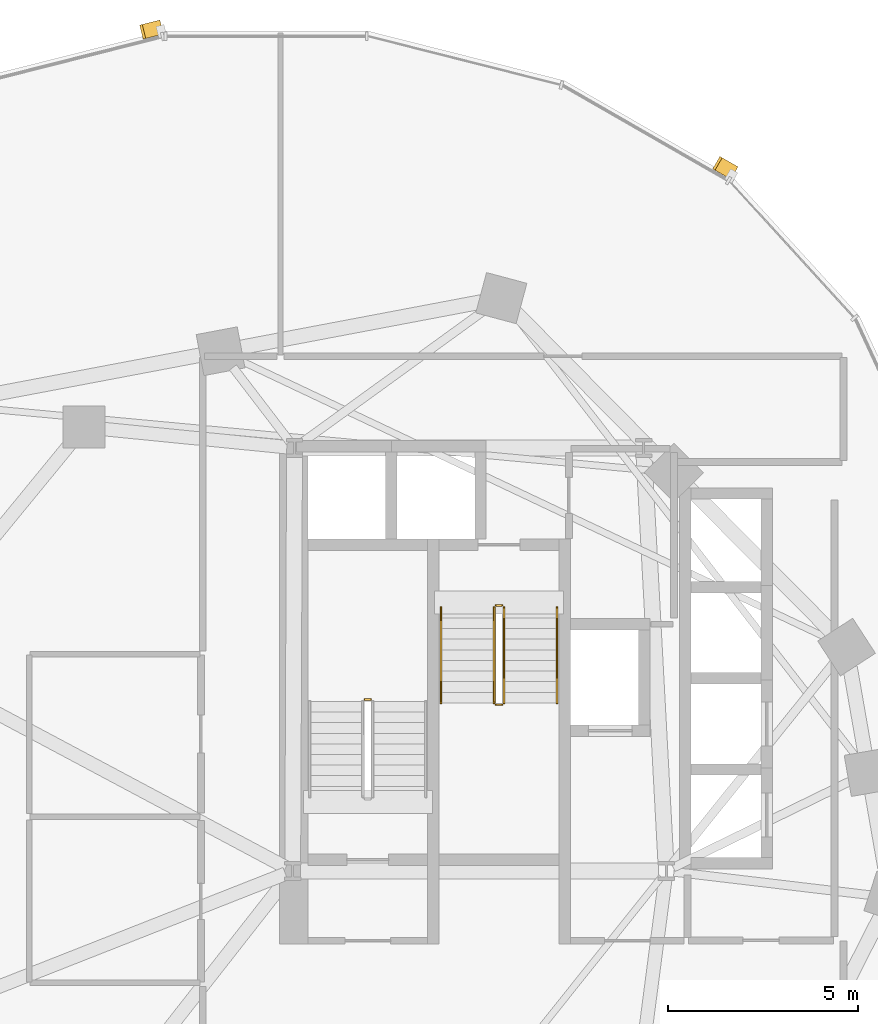
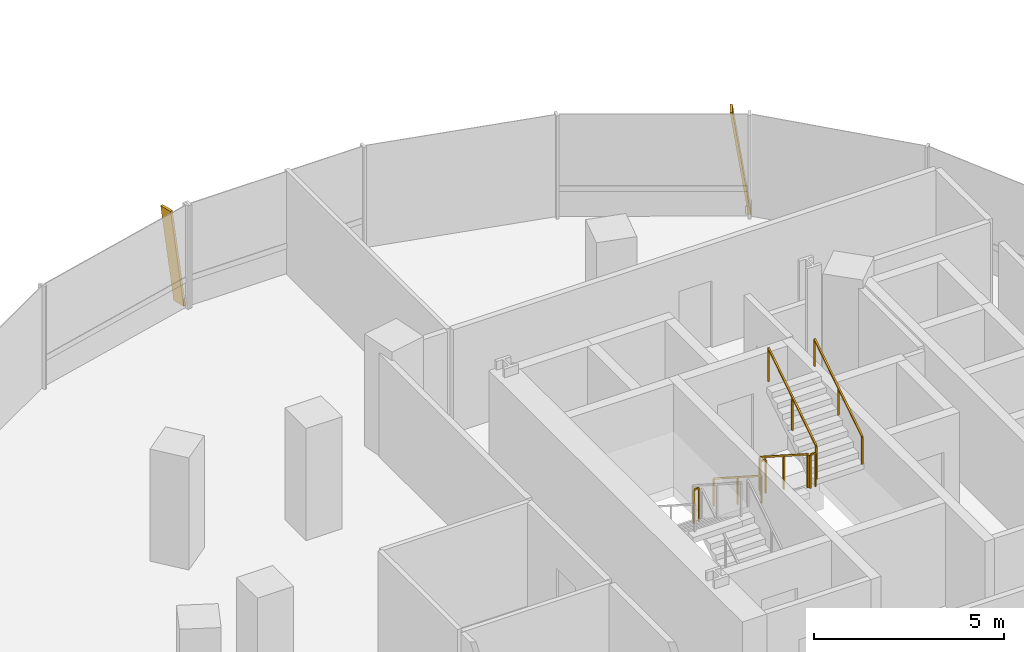
# One storey, part 18 of 20: 7 railings, 2 shading devices.
"""IFC4 building model written with IfcOpenShell, lengths in metres."""

from ifc_helpers import new_model, si_unit, direction, frame, origin, origin_2d, place, context, subcontext, project, spatial, rectangle, extrude, material, material_profile, profile_set, type_object, element, save


model = new_model("IFC4")

# Units and contexts
model_context = context("Model", 3, precision=1e-05, world=origin(), true_north=direction((0.0, 1.0)))
body_context = subcontext(model_context, "Body", "Model", "MODEL_VIEW")
ifc_project = project(units=[si_unit("LENGTHUNIT", "METRE"), si_unit("AREAUNIT", "SQUARE_METRE"), si_unit("VOLUMEUNIT", "CUBIC_METRE"), si_unit("PLANEANGLEUNIT", "RADIAN"), si_unit("MASSUNIT", "GRAM", prefix="KILO"), si_unit("THERMODYNAMICTEMPERATUREUNIT", "KELVIN"), si_unit("POWERUNIT", "WATT")], contexts=[model_context])

# Site, building, storey
site_placement = place(None, origin())
site = spatial("IfcSite", under=ifc_project, at=site_placement, CompositionType="ELEMENT")
building_placement = place(site_placement, origin())
building = spatial("IfcBuilding", under=site, at=building_placement, Name="Cundina Bronze Exchange", CompositionType="ELEMENT")
storey_placement = place(building_placement, frame((0.0, 0.0, 128.60009765625)))
storey = spatial("IfcBuildingStorey", under=building, at=storey_placement, Name="L33", CompositionType="ELEMENT", Elevation=128.60009765625)

# Railings
ifc_material_1 = material(Name="Steel ASTM A36 Painted", Category="steel")
railing_type_1 = type_object("IfcRailingType", Name="RLG-HND-900", PredefinedType="HANDRAIL", material=ifc_material_1)
railing_1_placement = place(storey_placement, frame((-27.389892578125, 10.85009765625, 0.179931640625)))
element("IfcRailing", 1, at=railing_1_placement, inside=storey, type_object=railing_type_1, Name="L33 ST-W2 stair handrail 1", PredefinedType="HANDRAIL", context=body_context, shape_type="SweptSolid", body=[
    extrude(rectangle(XDim=0.048095703125, YDim=0.048095703125, at=origin_2d()), frame((0.0, 0.0, 0.8759765625), z_axis=(0.0, -0.841199657755, 0.540724639528), x_axis=(1.0, 0.0, 0.0)), (0.0, 0.0, 1.0), 2.995849609375),
    extrude(rectangle(XDim=0.0419921875, YDim=0.0419921875, at=origin_2d()), origin(), (0.0, 0.0, 1.0), 0.851806640625),
    extrude(rectangle(XDim=0.0419921875, YDim=0.0419921875, at=origin_2d()), frame((0.0, -1.260009765625, 0.81005859375)), (0.0, 0.0, 1.0), 0.851806640625),
    extrude(rectangle(XDim=0.0419921875, YDim=0.0419921875, at=origin_2d()), frame((0.0, -2.52001953125, 1.619873046875)), (0.0, 0.0, 1.0), 0.851806640625),
])
railing_2_placement = place(storey_placement, frame((-24.330078125, 8.330078125, 1.97998046875)))
element("IfcRailing", 2, at=railing_2_placement, inside=storey, type_object=railing_type_1, Name="L33 ST-W2 stair handrail 2", PredefinedType="HANDRAIL", context=body_context, shape_type="SweptSolid", body=[
    extrude(rectangle(XDim=0.048095703125, YDim=0.048095703125, at=origin_2d()), frame((0.0, 0.0, 0.8759765625), z_axis=(0.0, 0.841199657755, 0.540724639528), x_axis=(-1.0, 0.0, 0.0)), (0.0, 0.0, 1.0), 2.995849609375),
    extrude(rectangle(XDim=0.0419921875, YDim=0.0419921875, at=origin_2d()), origin(), (0.0, 0.0, 1.0), 0.851806640625),
    extrude(rectangle(XDim=0.0419921875, YDim=0.0419921875, at=origin_2d()), frame((0.0, 1.260009765625, 0.81005859375)), (0.0, 0.0, 1.0), 0.851806640625),
    extrude(rectangle(XDim=0.0419921875, YDim=0.0419921875, at=origin_2d()), frame((0.0, 2.52001953125, 1.619873046875)), (0.0, 0.0, 1.0), 0.851806640625),
])
railing_type_2 = type_object("IfcRailingType", Name="RLG-STG-1100", PredefinedType="GUARDRAIL", material=ifc_material_1)
railing_3_placement = place(storey_placement, frame((-29.239990234375, 8.419921875, 1.7998046875)))
element("IfcRailing", 3, at=railing_3_placement, inside=storey, type_object=railing_type_2, Name="L33 ST-W1 stair guard 2", PredefinedType="GUARDRAIL", context=body_context, shape_type="SweptSolid", body=[
    extrude(rectangle(XDim=0.048095703125, YDim=0.048095703125, at=origin_2d()), frame((0.0, 0.0, 1.076171875), z_axis=(-1.0, 0.0, 0.0), x_axis=(0.0, -1.0, 0.0)), (0.0, 0.0, 1.0), 0.159912109375),
    extrude(rectangle(XDim=0.0419921875, YDim=0.0419921875, at=origin_2d()), origin(), (0.0, 0.0, 1.0), 1.052001953125),
    extrude(rectangle(XDim=0.0419921875, YDim=0.0419921875, at=origin_2d()), frame((-0.159912109375, 0.0, 0.0)), (0.0, 0.0, 1.0), 1.052001953125),
])
railing_4_placement = place(storey_placement, frame((-25.989990234375, 10.85009765625, 0.179931640625)))
element("IfcRailing", 4, at=railing_4_placement, inside=storey, type_object=railing_type_2, Name="L33 ST-W2 stair guard 1", PredefinedType="GUARDRAIL", context=body_context, shape_type="SweptSolid", body=[
    extrude(rectangle(XDim=0.048095703125, YDim=0.048095703125, at=origin_2d()), frame((0.0, 0.0, 1.076171875), z_axis=(0.0, -0.841199657755, 0.540724639528), x_axis=(1.0, 0.0, 0.0)), (0.0, 0.0, 1.0), 2.995849609375),
    extrude(rectangle(XDim=0.0419921875, YDim=0.0419921875, at=origin_2d()), origin(), (0.0, 0.0, 1.0), 1.052001953125),
    extrude(rectangle(XDim=0.0419921875, YDim=0.0419921875, at=origin_2d()), frame((0.0, -1.260009765625, 0.81005859375)), (0.0, 0.0, 1.0), 1.052001953125),
    extrude(rectangle(XDim=0.0419921875, YDim=0.0419921875, at=origin_2d()), frame((0.0, -2.52001953125, 1.619873046875)), (0.0, 0.0, 1.0), 1.052001953125),
])
railing_5_placement = place(storey_placement, frame((-25.93994140625, 8.280029296875, 1.7998046875)))
element("IfcRailing", 5, at=railing_5_placement, inside=storey, type_object=railing_type_2, Name="L33 ST-W2 stair guard 2", PredefinedType="GUARDRAIL", context=body_context, shape_type="SweptSolid", body=[
    extrude(rectangle(XDim=0.048095703125, YDim=0.048095703125, at=origin_2d()), frame((0.0, 0.0, 1.076171875), z_axis=(1.0, 0.0, 0.0), x_axis=(0.0, 1.0, 0.0)), (0.0, 0.0, 1.0), 0.159912109375),
    extrude(rectangle(XDim=0.0419921875, YDim=0.0419921875, at=origin_2d()), origin(), (0.0, 0.0, 1.0), 1.052001953125),
    extrude(rectangle(XDim=0.0419921875, YDim=0.0419921875, at=origin_2d()), frame((0.159912109375, 0.0, 0.0)), (0.0, 0.0, 1.0), 1.052001953125),
])
railing_6_placement = place(storey_placement, frame((-25.72998046875, 8.330078125, 1.97998046875)))
element("IfcRailing", 6, at=railing_6_placement, inside=storey, type_object=railing_type_2, Name="L33 ST-W2 stair guard 3", PredefinedType="GUARDRAIL", context=body_context, shape_type="SweptSolid", body=[
    extrude(rectangle(XDim=0.048095703125, YDim=0.048095703125, at=origin_2d()), frame((0.0, 0.0, 1.076171875), z_axis=(0.0, 0.841199657755, 0.540724639528), x_axis=(-1.0, 0.0, 0.0)), (0.0, 0.0, 1.0), 2.995849609375),
    extrude(rectangle(XDim=0.0419921875, YDim=0.0419921875, at=origin_2d()), origin(), (0.0, 0.0, 1.0), 1.052001953125),
    extrude(rectangle(XDim=0.0419921875, YDim=0.0419921875, at=origin_2d()), frame((0.0, 1.260009765625, 0.81005859375)), (0.0, 0.0, 1.0), 1.052001953125),
    extrude(rectangle(XDim=0.0419921875, YDim=0.0419921875, at=origin_2d()), frame((0.0, 2.52001953125, 1.619873046875)), (0.0, 0.0, 1.0), 1.052001953125),
])
railing_7_placement = place(storey_placement, frame((-25.93994140625, 10.89990234375, 0.0)))
element("IfcRailing", 7, at=railing_7_placement, inside=storey, type_object=railing_type_2, Name="L33 ST-W2 stair guard 4", PredefinedType="GUARDRAIL", context=body_context, shape_type="SweptSolid", body=[
    extrude(rectangle(XDim=0.048095703125, YDim=0.048095703125, at=origin_2d()), frame((0.0, 0.0, 1.076171875), z_axis=(1.0, 0.0, 0.0), x_axis=(0.0, 1.0, 0.0)), (0.0, 0.0, 1.0), 0.159912109375),
    extrude(rectangle(XDim=0.0419921875, YDim=0.0419921875, at=origin_2d()), origin(), (0.0, 0.0, 1.0), 1.052001953125),
    extrude(rectangle(XDim=0.0419921875, YDim=0.0419921875, at=origin_2d()), frame((0.159912109375, 0.0, 0.0)), (0.0, 0.0, 1.0), 1.052001953125),
])

# Shading devices
ifc_material_2 = material(Name="Anodised Bronze Aluminium 6063-T6", Category="aluminium")
ifc_material_profile = material_profile(ifc_material_2, rectangle(XDim=0.070068359375, YDim=0.3798828125, at=origin_2d()), Name="FIN70X380", Category="aluminium")
ifc_profile_set = profile_set([ifc_material_profile], Name="Anodised Bronze Aluminium 6063-T6")
shading_device_type = type_object("IfcShadingDeviceType", Name="SHD-FIN-BRZ380", PredefinedType="USERDEFINED", material=ifc_profile_set)
for number, where, z_axis, x_axis, name in (
    (8, (-19.685791015625, 22.314208984375, 0.02001953125), (-0.125579039611, 0.072106674357, 0.989459717383), (0.858067736109, -0.492696958153, 0.144808382618), "L33 Diagonal Bronze Solar Fin 5"),
    (9, (-34.787353515625, 26.138427734375, 0.02001953125), (-0.140383488658, -0.035500966177, 0.989460538633), (0.959262874254, 0.242583790866, 0.144802770993), "L33 Diagonal Bronze Solar Fin 1"),
):
    element("IfcShadingDevice", number, at=place(storey_placement, frame(where, z_axis=z_axis, x_axis=x_axis)), inside=storey, type_object=shading_device_type, Name=name, ObjectType="FIN", PredefinedType="USERDEFINED", context=body_context, shape_type="SweptSolid", body=[
        extrude(rectangle(XDim=0.070068359375, YDim=0.3798828125, at=origin_2d()), origin(), (0.0, 0.0, 1.0), 3.314697265625),
    ])

save(model, "model.ifc")
